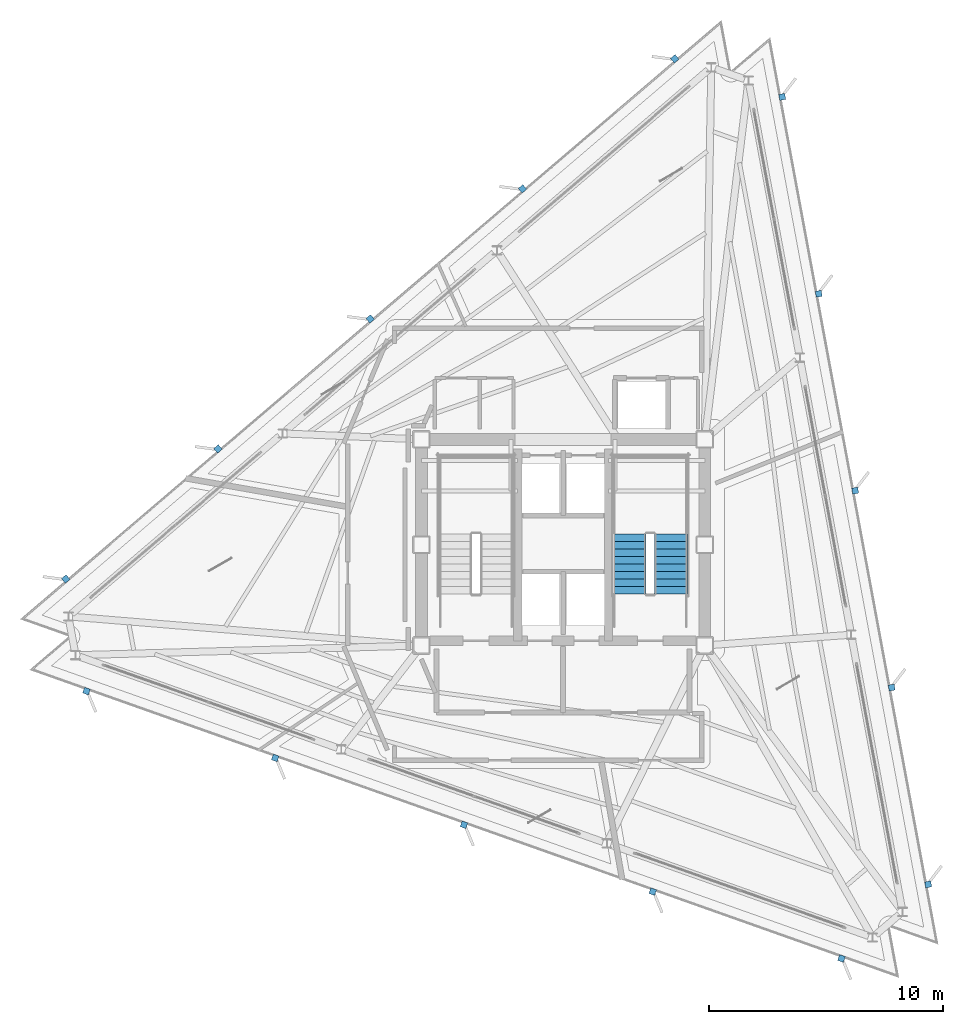
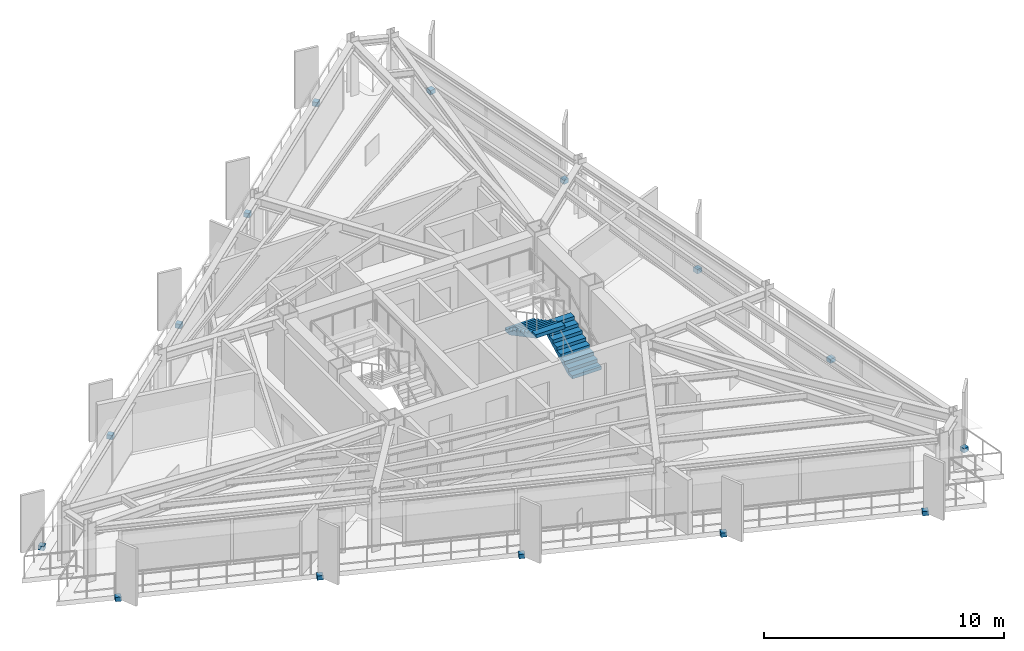
# One storey, part 10 of 14: 15 discrete accessories, 2 stair flights, 1 element without a shape of its own.
"""IFC4 building model written with IfcOpenShell, lengths in metres."""

import ifcopenshell
import ifcopenshell.guid

model = None  # the IFC model being written
_history = None  # IfcOwnerHistory: only IFC2X3 demands one
_inside = {}  # id of a spatial element -> (the spatial element, [elements in it])
_under = {}  # id of a project, library or spatial element -> (it, [spatial elements below it])
_declared = {}  # id of a project -> (the project, [libraries it declares])
_typed = {}  # id of a type object -> (the type object, [elements of that type])
_made_of = {}  # id of a material, layer set ... -> (it, [elements and type objects made of it])


def new_model(schema):
    """Start an empty IFC model of exactly this schema.

    Asked for "IFC4X3", IfcOpenShell would pick the latest addendum, in which some entities
    have other attributes; the version numbers below select the first issue.
    IFC2X3 requires an IfcOwnerHistory on every rooted entity: one is made here for all.
    """
    global model, _history
    if schema == "IFC4X3":
        model = ifcopenshell.file(schema_version=(4, 3, 0, 0))
    else:
        model = ifcopenshell.file(schema=schema)
    _inside.clear()
    _under.clear()
    _declared.clear()
    _typed.clear()
    _made_of.clear()
    _history = None
    if model.schema == "IFC2X3":
        org = make("IfcOrganization", Name="unknown")
        user = make(
            "IfcPersonAndOrganization",
            ThePerson=make("IfcPerson", FamilyName="unknown"),
            TheOrganization=org,
        )
        app = make(
            "IfcApplication",
            ApplicationDeveloper=org,
            Version="unknown",
            ApplicationFullName="unknown",
            ApplicationIdentifier="unknown",
        )
        _history = make(
            "IfcOwnerHistory",
            OwningUser=user,
            OwningApplication=app,
            ChangeAction="ADDED",
            CreationDate=0,
        )
    return model


def make(cls, **values):
    """One entity of the class cls with the attributes given. An attribute that is None is left unset."""
    return model.create_entity(
        cls, **{name: value for name, value in values.items() if value is not None}
    )


def rooted(cls, **values):
    """An entity with a GlobalId (a new one), such as an element, a storey or a relation."""
    return make(cls, GlobalId=ifcopenshell.guid.new(), OwnerHistory=_history, **values)


def si_unit(unit_type, name, prefix=None):
    """IfcSIUnit, for example si_unit("LENGTHUNIT", "METRE", prefix="MILLI")."""
    return make("IfcSIUnit", UnitType=unit_type, Prefix=prefix, Name=name)


def assignment(units):
    """IfcUnitAssignment: the units of a project."""
    return None if units is None else make("IfcUnitAssignment", Units=units)


def point(xyz):
    """IfcCartesianPoint."""
    return None if xyz is None else make("IfcCartesianPoint", Coordinates=xyz)


def direction(xyz):
    """IfcDirection."""
    return None if xyz is None else make("IfcDirection", DirectionRatios=xyz)


def frame(location, z_axis=None, x_axis=None):
    """IfcAxis2Placement3D, a coordinate frame: its origin and axes. An axis left out is left unset."""
    return make(
        "IfcAxis2Placement3D",
        Location=point(location),
        Axis=direction(z_axis),
        RefDirection=direction(x_axis),
    )


def frame_2d(location, x_axis=None):
    """IfcAxis2Placement2D, a coordinate frame in the plane: its origin and x axis."""
    return make(
        "IfcAxis2Placement2D", Location=point(location), RefDirection=direction(x_axis)
    )


def origin():
    """The frame at (0, 0, 0) with its axes left unset."""
    return frame((0.0, 0.0, 0.0))


def origin_2d():
    """The frame at (0, 0) in the plane with its x axis left unset."""
    return frame_2d((0.0, 0.0))


def place(relative_to, where):
    """IfcLocalPlacement: puts the frame where relative to a parent placement (None: the world)."""
    return make(
        "IfcLocalPlacement", PlacementRelTo=relative_to, RelativePlacement=where
    )


def context(
    kind, dimensions, precision=None, world=None, true_north=None, identifier=None
):
    """IfcGeometricRepresentationContext, for example the 3D "Model" context."""
    return make(
        "IfcGeometricRepresentationContext",
        ContextIdentifier=identifier,
        ContextType=kind,
        CoordinateSpaceDimension=dimensions,
        Precision=precision,
        WorldCoordinateSystem=world,
        TrueNorth=true_north,
    )


def subcontext(parent, identifier, kind, view, scale=None):
    """IfcGeometricRepresentationSubContext, for example "Body" below "Model"."""
    return make(
        "IfcGeometricRepresentationSubContext",
        ContextIdentifier=identifier,
        ContextType=kind,
        ParentContext=parent,
        TargetScale=scale,
        TargetView=view,
    )


def project(units=None, contexts=None):
    """IfcProject with its units and contexts."""
    return rooted(
        "IfcProject",
        Name="project",
        RepresentationContexts=contexts,
        UnitsInContext=assignment(units),
    )


def spatial(cls, under=None, at=None, **own):
    """A site, building, storey or space (cls), placed at a placement, below another one or the project."""
    s = rooted(cls, ObjectPlacement=at, **own)
    if under is not None:
        _under.setdefault(under.id(), (under, []))[1].append(s)
    return s


def polyline(points):
    """IfcPolyline through the points."""
    return make("IfcPolyline", Points=[point(p) for p in points])


def profile(cls, at=None, kind="AREA", **sizes):
    """A parametric profile (cls). Its sizes go by their IFC names, for example OverallWidth=200.0."""
    return make(cls, ProfileType=kind, Position=at, **sizes)


def rectangle(**sizes):
    """IfcRectangleProfileDef."""
    return profile("IfcRectangleProfileDef", **sizes)


def outline(outer, holes=None, kind="AREA"):
    """IfcArbitraryClosedProfileDef: a profile drawn as a closed curve; with holes, ...WithVoids."""
    if holes is None:
        return make("IfcArbitraryClosedProfileDef", ProfileType=kind, OuterCurve=outer)
    return make(
        "IfcArbitraryProfileDefWithVoids",
        ProfileType=kind,
        OuterCurve=outer,
        InnerCurves=holes,
    )


def extrude(swept, where, along, depth):
    """IfcExtrudedAreaSolid: the profile swept, set in the frame where, extruded along a direction by depth."""
    return make(
        "IfcExtrudedAreaSolid",
        SweptArea=swept,
        Position=where,
        ExtrudedDirection=direction(along),
        Depth=depth,
    )


def shape(context_of_items, identifier, shape_type, items):
    """IfcShapeRepresentation: the items that make up one representation, for example the "Body"."""
    return make(
        "IfcShapeRepresentation",
        ContextOfItems=context_of_items,
        RepresentationIdentifier=identifier,
        RepresentationType=shape_type,
        Items=items,
    )


def material(Name=None, Category=None):
    """IfcMaterial."""
    return make("IfcMaterial", Name=Name, Category=Category)


def layer(
    of_material, thickness, ventilated=None, Name=None, Category=None, Priority=None
):
    """IfcMaterialLayer: one layer of a wall or slab, of a material (None: an air gap)."""
    return make(
        "IfcMaterialLayer",
        Material=of_material,
        LayerThickness=thickness,
        IsVentilated=ventilated,
        Name=Name,
        Category=Category,
        Priority=Priority,
    )


def layer_set(layers, Name=None):
    """IfcMaterialLayerSet."""
    return make("IfcMaterialLayerSet", MaterialLayers=layers, LayerSetName=Name)


def made_of(thing, what):
    """Note that an element or type object is made of a material, layer set ...; save() writes the relation."""
    if what is not None:
        _made_of.setdefault(what.id(), (what, []))[1].append(thing)
    return thing


def type_object(cls, material=None, **own):
    """A type object (cls), such as IfcWallType, which elements share."""
    return made_of(rooted(cls, **own), material)


def element(
    cls,
    number,
    at=None,
    inside=None,
    cuts=None,
    type_object=None,
    material=None,
    context=None,
    identifier="Body",
    shape_type=None,
    held_by="IfcProductDefinitionShape",
    body=None,
    shapes=None,
    **own,
):
    """One element of the class cls, such as IfcWall. Its Tag is "e" and its number.

    at: its placement. inside: the storey or other place that contains it. cuts: it is an
    opening in that element (IfcRelVoidsElement). A single representation is given by context,
    identifier, shape_type and body (its items); several are given by shapes. held_by: the class
    of the entity that holds the representations. save() writes the other relations.
    """
    e = rooted(cls, Tag="e%d" % number, ObjectPlacement=at, **own)
    if body is not None:
        shapes = [shape(context, identifier, shape_type, body)]
    if shapes is not None:
        e.Representation = make(held_by, Representations=shapes)
    if inside is not None:
        _inside.setdefault(inside.id(), (inside, []))[1].append(e)
    if cuts is not None:
        rooted(
            "IfcRelVoidsElement", RelatingBuildingElement=cuts, RelatedOpeningElement=e
        )
    if type_object is not None:
        _typed.setdefault(type_object.id(), (type_object, []))[1].append(e)
    return made_of(e, material)


def aggregate(whole, parts):
    """IfcRelAggregates: a whole, such as a stair, and the parts it consists of."""
    return rooted("IfcRelAggregates", RelatingObject=whole, RelatedObjects=parts)


def save(model, path):
    """Write the relations noted so far, then the file.

    IfcRelAggregates (storeys below a building ...), IfcRelContainedInSpatialStructure (elements
    in a storey), IfcRelDefinesByType, IfcRelAssociatesMaterial and IfcRelDeclares: one each for
    every whole, place, type object, material and project.
    """
    for whole, parts in _under.values():
        aggregate(whole, parts)
    for where, things in _inside.values():
        rooted(
            "IfcRelContainedInSpatialStructure",
            RelatedElements=things,
            RelatingStructure=where,
        )
    for kind, things in _typed.values():
        rooted("IfcRelDefinesByType", RelatedObjects=things, RelatingType=kind)
    for what, things in _made_of.values():
        rooted("IfcRelAssociatesMaterial", RelatedObjects=things, RelatingMaterial=what)
    for by, libraries in _declared.values():
        rooted("IfcRelDeclares", RelatingContext=by, RelatedDefinitions=libraries)
    model.write(path)


model = new_model("IFC4")

# Units and contexts
model_context = context("Model", 3, precision=1e-05, world=origin(), true_north=direction((0.0, 1.0)))
body_context = subcontext(model_context, "Body", "Model", "MODEL_VIEW")
ifc_project = project(units=[si_unit("LENGTHUNIT", "METRE"), si_unit("AREAUNIT", "SQUARE_METRE"), si_unit("VOLUMEUNIT", "CUBIC_METRE"), si_unit("PLANEANGLEUNIT", "RADIAN"), si_unit("MASSUNIT", "GRAM", prefix="KILO")], contexts=[model_context])

# Site, building, storey
site_placement = place(None, origin())
site = spatial("IfcSite", under=ifc_project, at=site_placement, CompositionType="ELEMENT")
building_placement = place(site_placement, origin())
building = spatial("IfcBuilding", under=site, at=building_placement, Name="Rocaltana Carrier Exchange", CompositionType="ELEMENT")
storey_placement = place(building_placement, frame((0.0, 0.0, 187.52001953125)))
storey = spatial("IfcBuildingStorey", under=building, at=storey_placement, Name="L59", CompositionType="ELEMENT", Elevation=187.52001953125)

# Stair, stair flights
ifc_material_1 = material(Name="Precast concrete C45/55", Category="concrete")
stair_type = type_object("IfcStairType", Name="Standard Dog-Leg Stair 160", PredefinedType="HALF_TURN_STAIR", material=ifc_material_1)
stair_placement = place(storey_placement, origin())
stair = element("IfcStair", 1, at=stair_placement, inside=storey, type_object=stair_type, Name="L59 Core East Exit Stair ST-2", PredefinedType="HALF_TURN_STAIR")
ifc_material_2 = material(Name="Precast concrete C45/55", Category="concrete")
stair_flight_type = type_object("IfcStairFlightType", Name="Precast Stair Flight 160", PredefinedType="STRAIGHT", material=ifc_material_2)
stair_flight_1_placement = place(storey_placement, frame((4.60009765625, -2.10009765625, 0.0), z_axis=(0.0, 0.0, 1.0), x_axis=(0.0, 1.0, 0.0)))
stair_flight_1 = element("IfcStairFlight", 2, at=stair_flight_1_placement, type_object=stair_flight_type, Name="ST-2 flight 1", NumberOfRisers=9, NumberOfTreads=8, PredefinedType="STRAIGHT", RiserHeight=0.168888889, TreadLength=0.32, context=body_context, shape_type="SweptSolid", body=[
    extrude(outline(polyline([(0.0, 0.0), (0.0, 0.1689453125), (0.320068359375, 0.1689453125), (0.320068359375, 0.337890625), (0.639892578125, 0.337890625), (0.639892578125, 0.506591796875), (0.9599609375, 0.506591796875), (0.9599609375, 0.675537109375), (1.280029296875, 0.675537109375), (1.280029296875, 0.844482421875), (1.60009765625, 0.844482421875), (1.60009765625, 1.013427734375), (1.919921875, 1.013427734375), (1.919921875, 1.18212890625), (2.239990234375, 1.18212890625), (2.239990234375, 1.35107421875), (2.56005859375, 1.35107421875), (2.56005859375, 1.52001953125), (2.56005859375, 1.17041015625), (0.342529296875, 0.0), (0.0, 0.0)])), frame((0.0, 0.699951171875, 0.0), z_axis=(0.0, -1.0, 0.0), x_axis=(1.0, 0.0, 0.0)), (0.0, 0.0, 1.0), 1.39990234375),
])
stair_flight_2_placement = place(storey_placement, frame((2.840087890625, 0.4599609375, 1.52001953125), z_axis=(0.0, 0.0, 1.0), x_axis=(0.0, -1.0, 0.0)))
stair_flight_2 = element("IfcStairFlight", 3, at=stair_flight_2_placement, type_object=stair_flight_type, Name="ST-2 flight 2", NumberOfRisers=9, NumberOfTreads=8, PredefinedType="STRAIGHT", RiserHeight=0.168888889, TreadLength=0.32, context=body_context, shape_type="SweptSolid", body=[
    extrude(outline(polyline([(0.0, 0.0), (0.0, 0.1689453125), (0.320068359375, 0.1689453125), (0.320068359375, 0.337890625), (0.639892578125, 0.337890625), (0.639892578125, 0.506591796875), (0.9599609375, 0.506591796875), (0.9599609375, 0.675537109375), (1.280029296875, 0.675537109375), (1.280029296875, 0.844482421875), (1.60009765625, 0.844482421875), (1.60009765625, 1.013427734375), (1.919921875, 1.013427734375), (1.919921875, 1.18212890625), (2.239990234375, 1.18212890625), (2.239990234375, 1.35107421875), (2.56005859375, 1.35107421875), (2.56005859375, 1.52001953125), (2.56005859375, 1.17041015625), (0.342529296875, 0.0), (0.0, 0.0)])), frame((0.0, 0.699951171875, 0.0), z_axis=(0.0, -1.0, 0.0), x_axis=(1.0, 0.0, 0.0)), (0.0, 0.0, 1.0), 1.39990234375),
])
aggregate(stair, [stair_flight_1, stair_flight_2])

# Discrete accessories
ifc_material_3 = material(Name="Brushed Architectural Stainless Metal", Category="steel")
ifc_layer = layer(ifc_material_3, 0.219970703125)
ifc_layer_set = layer_set([ifc_layer], Name="Brushed Architectural Stainless Metal")
discrete_accessory_type = type_object("IfcDiscreteAccessoryType", Name="Stainless Fin Slab-Edge Bracket 260x260x220", PredefinedType="BRACKET", material=ifc_layer_set)
for number, where, z_axis, x_axis, name in (
    (4, (15.587890625, -14.502197265625, -0.2099609375), (0.0, 0.0, 1.0), (-0.182235525492, 0.983254907564, 0.0), "L59 Sandstone Fin Edge Bracket F1-01"),
    (5, (14.02978515625, -6.095458984375, -0.2099609375), (0.0, 0.0, 1.0), (-0.182235525492, 0.983254907564, 0.0), "L59 Sandstone Fin Edge Bracket F1-02"),
    (6, (12.4716796875, 2.3115234375, -0.2099609375), (0.0, 0.0, 1.0), (-0.182235525492, 0.983254907564, 0.0), "L59 Sandstone Fin Edge Bracket F1-03"),
    (7, (10.91357421875, 10.71826171875, -0.2099609375), (0.0, 0.0, 1.0), (-0.182235525492, 0.983254907564, 0.0), "L59 Sandstone Fin Edge Bracket F1-04"),
    (8, (9.355224609375, 19.125, -0.2099609375), (0.0, 0.0, 1.0), (-0.182235525492, 0.983254907564, 0.0), "L59 Sandstone Fin Edge Bracket F1-05"),
    (9, (4.765380859375, 20.75048828125, -0.2099609375), (0.0, 0.0, 1.0), (-0.7604059656, -0.64944804833, 0.0), "L59 Sandstone Fin Edge Bracket F2-01"),
    (10, (-1.736083984375, 15.19775390625, -0.2099609375), (0.0, 0.0, 1.0), (-0.7604059656, -0.64944804833, 0.0), "L59 Sandstone Fin Edge Bracket F2-02"),
    (11, (-8.237548828125, 9.64501953125, -0.2099609375), (0.0, 0.0, 1.0), (-0.7604059656, -0.64944804833, 0.0), "L59 Sandstone Fin Edge Bracket F2-03"),
    (12, (-14.739013671875, 4.09228515625, -0.2099609375), (0.0, 0.0, 1.0), (-0.7604059656, -0.64944804833, 0.0), "L59 Sandstone Fin Edge Bracket F2-04"),
    (13, (-21.240478515625, -1.460693359375, -0.2099609375), (0.0, 0.0, 1.0), (-0.7604059656, -0.64944804833, 0.0), "L59 Sandstone Fin Edge Bracket F2-05"),
    (14, (-20.353271484375, -6.248291015625, -0.2099609375), (0.0, 0.0, 1.0), (0.942641491092, -0.333806859234, 0.0), "L59 Sandstone Fin Edge Bracket F3-01"),
    (15, (-12.293701171875, -9.102294921875, -0.2099609375), (0.0, 0.0, 1.0), (0.942641491092, -0.333806859234, 0.0), "L59 Sandstone Fin Edge Bracket F3-02"),
    (16, (-4.23388671875, -11.956298828125, -0.2099609375), (0.0, 0.0, 1.0), (0.942641491092, -0.333806859234, 0.0), "L59 Sandstone Fin Edge Bracket F3-03"),
    (17, (3.82568359375, -14.810546875, -0.2099609375), (0.0, 0.0, 1.0), (0.942641491092, -0.333806859234, 0.0), "L59 Sandstone Fin Edge Bracket F3-04"),
    (18, (11.88525390625, -17.66455078125, -0.2099609375), (0.0, 0.0, 1.0), (0.942641491092, -0.333806859234, 0.0), "L59 Sandstone Fin Edge Bracket F3-05"),
):
    element("IfcDiscreteAccessory", number, at=place(storey_placement, frame(where, z_axis=z_axis, x_axis=x_axis)), inside=storey, type_object=discrete_accessory_type, Name=name, PredefinedType="BRACKET", context=body_context, shape_type="SweptSolid", body=[
        extrude(rectangle(XDim=0.260009765625, YDim=0.260009765625, at=origin_2d()), origin(), (0.0, 0.0, 1.0), 0.219970703125),
    ])

save(model, "model.ifc")
